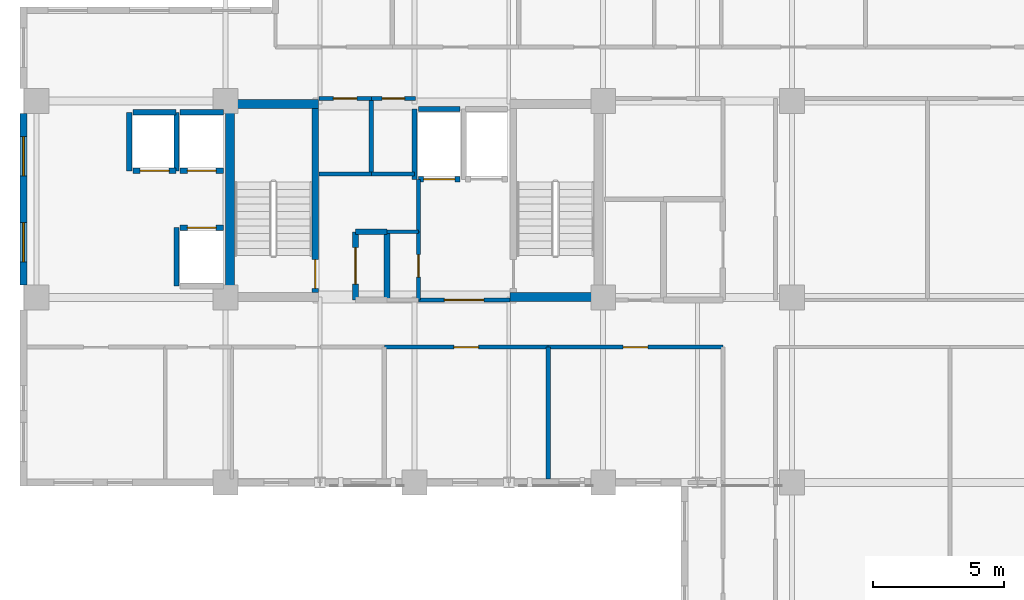
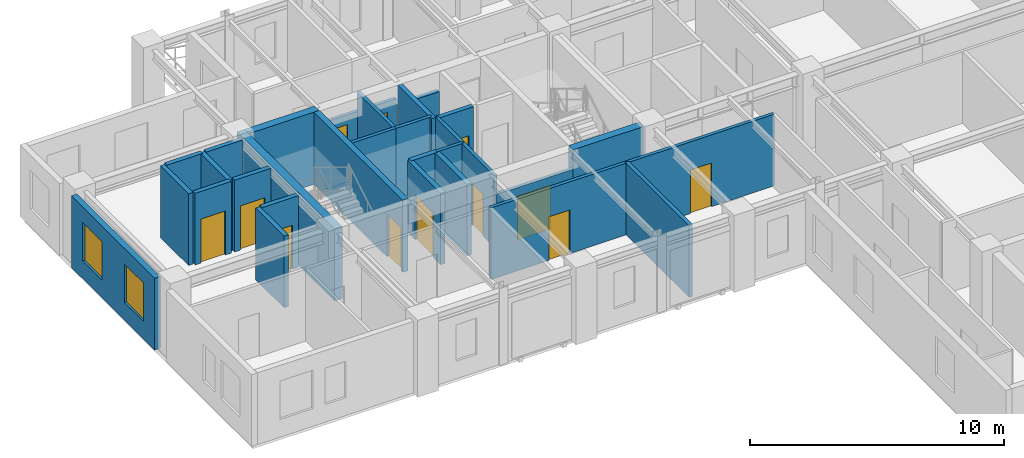
# One storey, part 6 of 14: 31 walls, 12 doors, 2 windows, 14 openings.
"""IFC4 building model written with IfcOpenShell, lengths in metres."""

from ifc_helpers import new_model, si_unit, direction, frame, frame_2d, origin, place, context, subcontext, project, spatial, rectangle, extrude, material, layer, layer_set, type_object, element, fill, save


model = new_model("IFC4")

# Units and contexts
model_context = context("Model", 3, precision=1e-05, world=origin(), true_north=direction((0.0, 1.0)))
body_context = subcontext(model_context, "Body", "Model", "MODEL_VIEW")
ifc_project = project(units=[si_unit("LENGTHUNIT", "METRE"), si_unit("AREAUNIT", "SQUARE_METRE"), si_unit("VOLUMEUNIT", "CUBIC_METRE"), si_unit("PLANEANGLEUNIT", "RADIAN"), si_unit("MASSUNIT", "GRAM", prefix="KILO")], contexts=[model_context])

# Site, building, storey
site_placement = place(None, origin())
site = spatial("IfcSite", under=ifc_project, at=site_placement, CompositionType="ELEMENT")
building_placement = place(site_placement, origin())
building = spatial("IfcBuilding", under=site, at=building_placement, Name="Kaliganga Portal Commons", CompositionType="ELEMENT")
storey_placement = place(building_placement, frame((0.0, 0.0, 227.699951171875)))
storey = spatial("IfcBuildingStorey", under=building, at=storey_placement, Name="L58", CompositionType="ELEMENT", Elevation=227.699951171875)

# Walls
ifc_material_1 = material(Name="Concrete C50/60", Category="concrete")
ifc_layer_1 = layer(ifc_material_1, 0.35009765625)
ifc_layer_set_1 = layer_set([ifc_layer_1], Name="Concrete C50/60")
wall_type_1 = type_object("IfcWallType", Name="WL-CORE-350", PredefinedType="SHEAR", material=ifc_layer_set_1)
wall_1_placement = place(storey_placement, frame((14.574951171875, 28.5, 0.0), z_axis=(0.0, 0.0, 1.0), x_axis=(0.0, 1.0, 0.0)))
element("IfcWall", 1, at=wall_1_placement, inside=storey, type_object=wall_type_1, Name="Core A West Shear Wall L58", PredefinedType="SHEAR", context=body_context, shape_type="SweptSolid", body=[
    extrude(rectangle(XDim=7.699951171875, YDim=0.35009765625, at=frame_2d((3.85009765625, 0.0))), origin(), (0.0, 0.0, 1.0), 3.469970703125),
])
for number, where, z_axis, x_axis, name in (
    (2, (25.25, 28.675048828125, 0.0), (0.0, 0.0, 1.0), (1.0, 0.0, 0.0), "Core A S-East Shear Wall L58"),
    (3, (14.75, 36.02490234375, 0.0), (0.0, 0.0, 1.0), (1.0, 0.0, 0.0), "Core A N-West Shear Wall L58"),
):
    element("IfcWall", number, at=place(storey_placement, frame(where, z_axis=z_axis, x_axis=x_axis)), inside=storey, type_object=wall_type_1, Name=name, PredefinedType="SHEAR", context=body_context, shape_type="SweptSolid", body=[
        extrude(rectangle(XDim=3.199951171875, YDim=0.35009765625, at=frame_2d((1.60009765625, 0.0))), origin(), (0.0, 0.0, 1.0), 3.469970703125),
    ])

# Wall, openings, windows
ifc_material_2 = material(Name="Insulated Aluminium-Clad Spandrel Assembly", Category="aluminium")
ifc_layer_2 = layer(ifc_material_2, 0.260009765625)
ifc_layer_set_2 = layer_set([ifc_layer_2], Name="Insulated Aluminium-Clad Spandrel Assembly")
wall_type_2 = type_object("IfcWallType", Name="WL-EXT-SPAND-260", PredefinedType="STANDARD", material=ifc_layer_set_2)
wall_2_placement = place(storey_placement, frame((6.699951171875, 29.1259765625, 0.0), z_axis=(0.0, 0.0, 1.0), x_axis=(0.0, 1.0, 0.0)))
wall_2 = element("IfcWall", 4, at=wall_2_placement, inside=storey, type_object=wall_type_2, Name="Exterior Envelope Wall L58 P1-E09-S2", PredefinedType="STANDARD", context=body_context, shape_type="SweptSolid", body=[
    extrude(rectangle(XDim=6.548095703125, YDim=0.260009765625, at=frame_2d((3.27392578125, 0.0))), origin(), (0.0, 0.0, 1.0), 3.449951171875),
])
opening_1_placement = place(wall_2_placement, frame((0.886962890625, 0.0, 0.85009765625)))
opening_1 = element("IfcOpeningElement", 5, at=opening_1_placement, cuts=wall_2, Name="Opening W-02", PredefinedType="OPENING", context=body_context, shape_type="SweptSolid", body=[
    extrude(rectangle(XDim=1.5, YDim=1.85009765625, at=frame_2d((0.75, 0.925048828125))), frame((0.0, 0.14013671875, 0.0), z_axis=(0.0, -1.0, 0.0), x_axis=(1.0, 0.0, 0.0)), (0.0, 0.0, 1.0), 0.280029296875),
])
opening_2_placement = place(wall_2_placement, frame((4.160888671875, 0.0, 0.85009765625)))
opening_2 = element("IfcOpeningElement", 6, at=opening_2_placement, cuts=wall_2, Name="Opening W-02", PredefinedType="OPENING", context=body_context, shape_type="SweptSolid", body=[
    extrude(rectangle(XDim=1.5, YDim=1.85009765625, at=frame_2d((0.75, 0.925048828125))), frame((0.0, 0.14013671875, 0.0), z_axis=(0.0, -1.0, 0.0), x_axis=(1.0, 0.0, 0.0)), (0.0, 0.0, 1.0), 0.280029296875),
])
ifc_material_3 = material(Name="Thermally Broken Aluminium and Low-E Double Glazing", Category="aluminium")
window_type = type_object("IfcWindowType", Name="WIN-STD-1500", PartitioningType="DOUBLE_PANEL_VERTICAL", PredefinedType="WINDOW", material=ifc_material_3)
window_1_placement = place(opening_1_placement, origin())
window_1 = element("IfcWindow", 7, at=window_1_placement, inside=storey, type_object=window_type, Name="Facade Window L58-P1E09S2-00", OverallHeight=1.85009765625, OverallWidth=1.5, PartitioningType="SINGLE_PANEL", PredefinedType="WINDOW", context=body_context, shape_type="SweptSolid", body=[
    extrude(rectangle(XDim=1.5, YDim=1.85009765625, at=frame_2d((0.75, 0.925048828125))), frame((0.0, 0.030029296875, 0.0), z_axis=(0.0, -1.0, 0.0), x_axis=(1.0, 0.0, 0.0)), (0.0, 0.0, 1.0), 0.06005859375),
])
fill(opening_1, window_1)
window_2_placement = place(opening_2_placement, origin())
window_2 = element("IfcWindow", 8, at=window_2_placement, inside=storey, type_object=window_type, Name="Facade Window L58-P1E09S2-01", OverallHeight=1.85009765625, OverallWidth=1.5, PartitioningType="SINGLE_PANEL", PredefinedType="WINDOW", context=body_context, shape_type="SweptSolid", body=[
    extrude(rectangle(XDim=1.5, YDim=1.85009765625, at=frame_2d((0.75, 0.925048828125))), frame((0.0, 0.030029296875, 0.0), z_axis=(0.0, -1.0, 0.0), x_axis=(1.0, 0.0, 0.0)), (0.0, 0.0, 1.0), 0.06005859375),
])
fill(opening_2, window_2)

# Wall, opening, door
ifc_material_4 = material(Name="Fire-Rated Gypsum Board on Steel Stud", Category="steel")
ifc_layer_3 = layer(ifc_material_4, 0.14990234375)
ifc_layer_set_3 = layer_set([ifc_layer_3], Name="Fire-Rated Gypsum Board on Steel Stud")
wall_type_3 = type_object("IfcWallType", Name="WL-PART-CORR-150", PredefinedType="PARTITIONING", material=ifc_layer_set_3)
wall_3_placement = place(storey_placement, frame((26.699951171875, 26.760009765625, 0.0), z_axis=(0.0, 0.0, 1.0), x_axis=(1.0, 0.0, 0.0)))
wall_3 = element("IfcWall", 9, at=wall_3_placement, inside=storey, type_object=wall_type_3, Name="Interior Partition L58-010", PredefinedType="PARTITIONING", context=body_context, shape_type="SweptSolid", body=[
    extrude(rectangle(XDim=6.66015625, YDim=0.14990234375, at=frame_2d((3.330078125, 0.0))), origin(), (0.0, 0.0, 1.0), 3.449951171875),
])
opening_3_placement = place(wall_3_placement, frame((2.85498046875, 0.0, 0.0)))
opening_3 = element("IfcOpeningElement", 10, at=opening_3_placement, cuts=wall_3, Name="Opening UD-01", PredefinedType="OPENING", context=body_context, shape_type="SweptSolid", body=[
    extrude(rectangle(XDim=0.949951171875, YDim=2.10009765625, at=frame_2d((0.47509765625, 1.050048828125))), frame((0.0, 0.0849609375, 0.0), z_axis=(0.0, -1.0, 0.0), x_axis=(1.0, 0.0, 0.0)), (0.0, 0.0, 1.0), 0.169921875),
])
ifc_material_5 = material(Name="Solid-Core Timber Acoustic Fire Door", Category="wood")
door_type_1 = type_object("IfcDoorType", Name="DR-UNIT-950", OperationType="NOTDEFINED", PredefinedType="DOOR", material=ifc_material_5)
door_1_placement = place(opening_3_placement, origin())
door_1 = element("IfcDoor", 11, at=door_1_placement, inside=storey, type_object=door_type_1, Name="Interior Door L58-AS05", OperationType="SINGLE_SWING_RIGHT", OverallHeight=2.10009765625, OverallWidth=0.949951171875, PredefinedType="DOOR", context=body_context, shape_type="SweptSolid", body=[
    extrude(rectangle(XDim=0.949951171875, YDim=2.10009765625, at=frame_2d((0.47509765625, 1.050048828125))), frame((0.0, 0.02490234375, 0.0), z_axis=(0.0, -1.0, 0.0), x_axis=(1.0, 0.0, 0.0)), (0.0, 0.0, 1.0), 0.050048828125),
])
fill(opening_3, door_1)

wall_4_placement = place(storey_placement, frame((20.4599609375, 26.760009765625, 0.0), z_axis=(0.0, 0.0, 1.0), x_axis=(1.0, 0.0, 0.0)))
wall_4 = element("IfcWall", 12, at=wall_4_placement, inside=storey, type_object=wall_type_3, Name="Interior Partition L58-012", PredefinedType="PARTITIONING", context=body_context, shape_type="SweptSolid", body=[
    extrude(rectangle(XDim=6.239990234375, YDim=0.14990234375, at=frame_2d((3.1201171875, 0.0))), origin(), (0.0, 0.0, 1.0), 3.449951171875),
])
opening_4_placement = place(wall_4_placement, frame((2.64501953125, 0.0, 0.0)))
opening_4 = element("IfcOpeningElement", 13, at=opening_4_placement, cuts=wall_4, Name="Opening UD-01", PredefinedType="OPENING", context=body_context, shape_type="SweptSolid", body=[
    extrude(rectangle(XDim=0.949951171875, YDim=2.10009765625, at=frame_2d((0.47509765625, 1.050048828125))), frame((0.0, 0.0849609375, 0.0), z_axis=(0.0, -1.0, 0.0), x_axis=(1.0, 0.0, 0.0)), (0.0, 0.0, 1.0), 0.169921875),
])
door_2_placement = place(opening_4_placement, origin())
door_2 = element("IfcDoor", 14, at=door_2_placement, inside=storey, type_object=door_type_1, Name="Interior Door L58-AS04", OperationType="SINGLE_SWING_RIGHT", OverallHeight=2.10009765625, OverallWidth=0.949951171875, PredefinedType="DOOR", context=body_context, shape_type="SweptSolid", body=[
    extrude(rectangle(XDim=0.949951171875, YDim=2.10009765625, at=frame_2d((0.47509765625, 1.050048828125))), frame((0.0, 0.02490234375, 0.0), z_axis=(0.0, -1.0, 0.0), x_axis=(1.0, 0.0, 0.0)), (0.0, 0.0, 1.0), 0.050048828125),
])
fill(opening_4, door_2)

wall_5_placement = place(storey_placement, frame((21.760009765625, 28.56005859375, 0.0), z_axis=(0.0, 0.0, 1.0), x_axis=(0.0, 1.0, 0.0)))
wall_5 = element("IfcWall", 15, at=wall_5_placement, inside=storey, type_object=wall_type_3, Name="Interior Partition L58-028", PredefinedType="PARTITIONING", context=body_context, shape_type="SweptSolid", body=[
    extrude(rectangle(XDim=2.599853515625, YDim=0.14990234375, at=frame_2d((1.2998046875, 0.0))), origin(), (0.0, 0.0, 1.0), 3.449951171875),
])
opening_5_placement = place(wall_5_placement, frame((0.8701171875, 0.0, 0.0)))
opening_5 = element("IfcOpeningElement", 16, at=opening_5_placement, cuts=wall_5, Name="Opening WD-02", PredefinedType="OPENING", context=body_context, shape_type="SweptSolid", body=[
    extrude(rectangle(XDim=0.860107421875, YDim=2.02001953125, at=frame_2d((0.43017578125, 1.010009765625))), frame((0.0, 0.0849609375, 0.0), z_axis=(0.0, -1.0, 0.0), x_axis=(1.0, 0.0, 0.0)), (0.0, 0.0, 1.0), 0.169921875),
])
ifc_material_6 = material(Name="Fire-Rated Utility Closet Door", Category="wood")
door_type_2 = type_object("IfcDoorType", Name="DR-STORE-800", OperationType="NOTDEFINED", PredefinedType="DOOR", material=ifc_material_6)
door_3_placement = place(opening_5_placement, origin())
door_3 = element("IfcDoor", 17, at=door_3_placement, inside=storey, type_object=door_type_2, Name="Interior Door L58-CIN_A2", OperationType="SINGLE_SWING_RIGHT", OverallHeight=2.02001953125, OverallWidth=0.860107421875, PredefinedType="DOOR", context=body_context, shape_type="SweptSolid", body=[
    extrude(rectangle(XDim=0.860107421875, YDim=2.02001953125, at=frame_2d((0.43017578125, 1.010009765625))), frame((0.0, 0.02490234375, 0.0), z_axis=(0.0, -1.0, 0.0), x_axis=(1.0, 0.0, 0.0)), (0.0, 0.0, 1.0), 0.050048828125),
])
fill(opening_5, door_3)

# Wall
wall_6_placement = place(storey_placement, frame((17.9599609375, 33.360107421875, 0.0), z_axis=(0.0, 0.0, 1.0), x_axis=(1.0, 0.0, 0.0)))
element("IfcWall", 18, at=wall_6_placement, inside=storey, type_object=wall_type_3, Name="Interior Partition L58-036", PredefinedType="PARTITIONING", context=body_context, shape_type="SweptSolid", body=[
    extrude(rectangle(XDim=2.0, YDim=0.14990234375, at=frame_2d((1.0, 0.0))), origin(), (0.0, 0.0, 1.0), 3.449951171875),
])

# Wall, opening, door
wall_7_placement = place(storey_placement, frame((17.9599609375, 36.239990234375, 0.0), z_axis=(0.0, 0.0, 1.0), x_axis=(1.0, 0.0, 0.0)))
wall_7 = element("IfcWall", 19, at=wall_7_placement, inside=storey, type_object=wall_type_3, Name="Interior Partition L58-037", PredefinedType="PARTITIONING", context=body_context, shape_type="SweptSolid", body=[
    extrude(rectangle(XDim=2.0, YDim=0.14990234375, at=frame_2d((1.0, 0.0))), origin(), (0.0, 0.0, 1.0), 2.550048828125),
])
opening_6_placement = place(wall_7_placement, frame((0.550048828125, 0.0, 0.0)))
opening_6 = element("IfcOpeningElement", 20, at=opening_6_placement, cuts=wall_7, Name="Opening RD-01", PredefinedType="OPENING", context=body_context, shape_type="SweptSolid", body=[
    extrude(rectangle(XDim=0.89990234375, YDim=2.080078125, at=frame_2d((0.449951171875, 1.0400390625))), frame((0.0, 0.0849609375, 0.0), z_axis=(0.0, -1.0, 0.0), x_axis=(1.0, 0.0, 0.0)), (0.0, 0.0, 1.0), 0.169921875),
])
ifc_material_7 = material(Name="Engineered Timber Flush Door", Category="wood")
door_type_3 = type_object("IfcDoorType", Name="DR-ROOM-900", OperationType="NOTDEFINED", PredefinedType="DOOR", material=ifc_material_7)
door_4_placement = place(opening_6_placement, origin())
door_4 = element("IfcDoor", 21, at=door_4_placement, inside=storey, type_object=door_type_3, Name="Interior Door L58-CREC_A1", OperationType="SINGLE_SWING_RIGHT", OverallHeight=2.080078125, OverallWidth=0.89990234375, PredefinedType="DOOR", context=body_context, shape_type="SweptSolid", body=[
    extrude(rectangle(XDim=0.89990234375, YDim=2.080078125, at=frame_2d((0.449951171875, 1.0400390625))), frame((0.0, 0.02490234375, 0.0), z_axis=(0.0, -1.0, 0.0), x_axis=(1.0, 0.0, 0.0)), (0.0, 0.0, 1.0), 0.050048828125),
])
fill(opening_6, door_4)

# Wall
wall_8_placement = place(storey_placement, frame((19.9599609375, 33.360107421875, 0.0), z_axis=(0.0, 0.0, 1.0), x_axis=(1.0, 0.0, 0.0)))
element("IfcWall", 22, at=wall_8_placement, inside=storey, type_object=wall_type_3, Name="Interior Partition L58-039", PredefinedType="PARTITIONING", context=body_context, shape_type="SweptSolid", body=[
    extrude(rectangle(XDim=1.650146484375, YDim=0.14990234375, at=frame_2d((0.8251953125, 0.0))), origin(), (0.0, 0.0, 1.0), 3.449951171875),
])

# Wall, opening, door
wall_9_placement = place(storey_placement, frame((19.9599609375, 36.239990234375, 0.0), z_axis=(0.0, 0.0, 1.0), x_axis=(1.0, 0.0, 0.0)))
wall_9 = element("IfcWall", 23, at=wall_9_placement, inside=storey, type_object=wall_type_3, Name="Interior Partition L58-040", PredefinedType="PARTITIONING", context=body_context, shape_type="SweptSolid", body=[
    extrude(rectangle(XDim=1.679931640625, YDim=0.14990234375, at=frame_2d((0.83984375, 0.0))), origin(), (0.0, 0.0, 1.0), 2.550048828125),
])
opening_7_placement = place(wall_9_placement, frame((0.409912109375, 0.0, 0.0)))
opening_7 = element("IfcOpeningElement", 24, at=opening_7_placement, cuts=wall_9, Name="Opening WD-02", PredefinedType="OPENING", context=body_context, shape_type="SweptSolid", body=[
    extrude(rectangle(XDim=0.860107421875, YDim=2.02001953125, at=frame_2d((0.43017578125, 1.010009765625))), frame((0.0, 0.0849609375, 0.0), z_axis=(0.0, -1.0, 0.0), x_axis=(1.0, 0.0, 0.0)), (0.0, 0.0, 1.0), 0.169921875),
])
door_5_placement = place(opening_7_placement, origin())
door_5 = element("IfcDoor", 25, at=door_5_placement, inside=storey, type_object=door_type_2, Name="Interior Door L58-CREC_A2", OperationType="SINGLE_SWING_RIGHT", OverallHeight=2.02001953125, OverallWidth=0.860107421875, PredefinedType="DOOR", context=body_context, shape_type="SweptSolid", body=[
    extrude(rectangle(XDim=0.860107421875, YDim=2.02001953125, at=frame_2d((0.43017578125, 1.010009765625))), frame((0.0, 0.02490234375, 0.0), z_axis=(0.0, -1.0, 0.0), x_axis=(1.0, 0.0, 0.0)), (0.0, 0.0, 1.0), 0.050048828125),
])
fill(opening_7, door_5)

# Wall
wall_10_placement = place(storey_placement, frame((20.56005859375, 31.159912109375, 0.0), z_axis=(0.0, 0.0, 1.0), x_axis=(1.0, 0.0, 0.0)))
element("IfcWall", 26, at=wall_10_placement, inside=storey, type_object=wall_type_3, Name="Interior Partition L58-042", PredefinedType="PARTITIONING", context=body_context, shape_type="SweptSolid", body=[
    extrude(rectangle(XDim=1.199951171875, YDim=0.14990234375, at=frame_2d((0.60009765625, 0.0))), origin(), (0.0, 0.0, 1.0), 3.449951171875),
])

# Wall, opening, door
wall_11_placement = place(storey_placement, frame((21.760009765625, 28.56005859375, 0.0), z_axis=(0.0, 0.0, 1.0), x_axis=(1.0, 0.0, 0.0)))
wall_11 = element("IfcWall", 27, at=wall_11_placement, inside=storey, type_object=wall_type_3, Name="Interior Partition L58-073", PredefinedType="PARTITIONING", context=body_context, shape_type="SweptSolid", body=[
    extrude(rectangle(XDim=3.47998046875, YDim=0.14990234375, at=frame_2d((1.739990234375, 0.0))), origin(), (0.0, 0.0, 1.0), 2.550048828125),
])
opening_8_placement = place(wall_11_placement, frame((0.989990234375, 0.0, 0.0)))
opening_8 = element("IfcOpeningElement", 28, at=opening_8_placement, cuts=wall_11, Name="Opening FD-01", PredefinedType="OPENING", context=body_context, shape_type="SweptSolid", body=[
    extrude(rectangle(XDim=1.5, YDim=2.10009765625, at=frame_2d((0.75, 1.050048828125))), frame((0.0, 0.0849609375, 0.0), z_axis=(0.0, -1.0, 0.0), x_axis=(1.0, 0.0, 0.0)), (0.0, 0.0, 1.0), 0.169921875),
])
ifc_material_8 = material(Name="Fire-Rated Hardwood and Georgian-Wired Vision Panel", Category="wood")
door_type_4 = type_object("IfcDoorType", Name="DR-LOBBY-1500", OperationType="DOUBLE_DOOR_SINGLE_SWING", PredefinedType="DOOR", material=ifc_material_8)
door_6_placement = place(opening_8_placement, origin())
door_6 = element("IfcDoor", 29, at=door_6_placement, inside=storey, type_object=door_type_4, Name="Interior Door L58-FFLOB_A", OperationType="DOUBLE_DOOR_SINGLE_SWING", OverallHeight=2.10009765625, OverallWidth=1.5, PredefinedType="DOOR", context=body_context, shape_type="SweptSolid", body=[
    extrude(rectangle(XDim=1.5, YDim=2.10009765625, at=frame_2d((0.75, 1.050048828125))), frame((0.0, 0.02490234375, 0.0), z_axis=(0.0, -1.0, 0.0), x_axis=(1.0, 0.0, 0.0)), (0.0, 0.0, 1.0), 0.050048828125),
])
fill(opening_8, door_6)

# Wall
wall_12_placement = place(storey_placement, frame((21.760009765625, 31.159912109375, 0.0), z_axis=(0.0, 0.0, 1.0), x_axis=(0.0, 1.0, 0.0)))
element("IfcWall", 30, at=wall_12_placement, inside=storey, type_object=wall_type_3, Name="Interior Partition L58-081", PredefinedType="PARTITIONING", context=body_context, shape_type="SweptSolid", body=[
    extrude(rectangle(XDim=2.0, YDim=0.14990234375, at=frame_2d((1.0, 0.0))), origin(), (0.0, 0.0, 1.0), 3.449951171875),
])

# Wall, opening, door
ifc_material_9 = material(Name="Lightweight blockwork masonry", Category="masonry")
ifc_layer_4 = layer(ifc_material_9, 0.215087890625)
ifc_layer_set_4 = layer_set([ifc_layer_4], Name="Lightweight blockwork masonry")
wall_type_4 = type_object("IfcWallType", Name="WL-PART-PLANT-215", PredefinedType="PARTITIONING", material=ifc_layer_set_4)
wall_13_placement = place(storey_placement, frame((19.360107421875, 28.56005859375, 0.0), z_axis=(0.0, 0.0, 1.0), x_axis=(0.0, 1.0, 0.0)))
wall_13 = element("IfcWall", 31, at=wall_13_placement, inside=storey, type_object=wall_type_4, Name="Interior Partition L58-027", PredefinedType="PARTITIONING", context=body_context, shape_type="SweptSolid", body=[
    extrude(rectangle(XDim=2.599853515625, YDim=0.215087890625, at=frame_2d((1.2998046875, 0.0))), origin(), (0.0, 0.0, 1.0), 3.449951171875),
])
opening_9_placement = place(wall_13_placement, frame((0.60009765625, 0.0, 0.0)))
opening_9 = element("IfcOpeningElement", 32, at=opening_9_placement, cuts=wall_13, Name="Opening PD-01", PredefinedType="OPENING", context=body_context, shape_type="SweptSolid", body=[
    extrude(rectangle(XDim=1.39990234375, YDim=2.14990234375, at=frame_2d((0.699951171875, 1.074951171875))), frame((0.0, 0.11767578125, 0.0), z_axis=(0.0, -1.0, 0.0), x_axis=(1.0, 0.0, 0.0)), (0.0, 0.0, 1.0), 0.235107421875),
])
ifc_material_10 = material(Name="Heavy-Duty Steel Acoustic Louvre Fire Door", Category="steel")
door_type_5 = type_object("IfcDoorType", Name="DR-PLANT-1400", OperationType="DOUBLE_DOOR_SINGLE_SWING", PredefinedType="DOOR", material=ifc_material_10)
door_7_placement = place(opening_9_placement, origin())
door_7 = element("IfcDoor", 33, at=door_7_placement, inside=storey, type_object=door_type_5, Name="Interior Door L58-CIN_A1", OperationType="DOUBLE_DOOR_SINGLE_SWING", OverallHeight=2.14990234375, OverallWidth=1.39990234375, PredefinedType="DOOR", context=body_context, shape_type="SweptSolid", body=[
    extrude(rectangle(XDim=1.39990234375, YDim=2.14990234375, at=frame_2d((0.699951171875, 1.074951171875))), frame((0.0, 0.02490234375, 0.0), z_axis=(0.0, -1.0, 0.0), x_axis=(1.0, 0.0, 0.0)), (0.0, 0.0, 1.0), 0.050048828125),
])
fill(opening_9, door_7)

# Walls
wall_14_placement = place(storey_placement, frame((19.360107421875, 31.159912109375, 0.0), z_axis=(0.0, 0.0, 1.0), x_axis=(1.0, 0.0, 0.0)))
element("IfcWall", 34, at=wall_14_placement, inside=storey, type_object=wall_type_4, Name="Interior Partition L58-044", PredefinedType="PARTITIONING", context=body_context, shape_type="SweptSolid", body=[
    extrude(rectangle(XDim=1.199951171875, YDim=0.215087890625, at=frame_2d((0.60009765625, 0.0))), origin(), (0.0, 0.0, 1.0), 3.449951171875),
])
wall_15_placement = place(storey_placement, frame((20.56005859375, 28.56005859375, 0.0), z_axis=(0.0, 0.0, 1.0), x_axis=(0.0, 1.0, 0.0)))
element("IfcWall", 35, at=wall_15_placement, inside=storey, type_object=wall_type_4, Name="Interior Partition L58-075", PredefinedType="PARTITIONING", context=body_context, shape_type="SweptSolid", body=[
    extrude(rectangle(XDim=2.599853515625, YDim=0.215087890625, at=frame_2d((1.2998046875, 0.0))), origin(), (0.0, 0.0, 1.0), 3.449951171875),
])
ifc_material_11 = material(Name="Twin-Stud Acoustic Gypsum Partition", Category="gypsum")
ifc_layer_5 = layer(ifc_material_11, 0.1650390625)
ifc_layer_set_5 = layer_set([ifc_layer_5], Name="Twin-Stud Acoustic Gypsum Partition")
wall_type_5 = type_object("IfcWallType", Name="WL-PART-UNIT-165", PredefinedType="PARTITIONING", material=ifc_layer_set_5)
wall_16_placement = place(storey_placement, frame((26.699951171875, 21.73193359375, 0.0), z_axis=(0.0, 0.0, 1.0), x_axis=(0.0, 1.0, 0.0)))
element("IfcWall", 36, at=wall_16_placement, inside=storey, type_object=wall_type_5, Name="Interior Partition L58-061", PredefinedType="PARTITIONING", context=body_context, shape_type="SweptSolid", body=[
    extrude(rectangle(XDim=5.028076171875, YDim=0.1650390625, at=frame_2d((2.51416015625, 0.0))), origin(), (0.0, 0.0, 1.0), 3.449951171875),
])
wall_17_placement = place(storey_placement, frame((19.9599609375, 33.360107421875, 0.0), z_axis=(0.0, 0.0, 1.0), x_axis=(0.0, 1.0, 0.0)))
element("IfcWall", 37, at=wall_17_placement, inside=storey, type_object=wall_type_5, Name="Interior Partition L58-074", PredefinedType="PARTITIONING", context=body_context, shape_type="SweptSolid", body=[
    extrude(rectangle(XDim=2.8798828125, YDim=0.1650390625, at=frame_2d((1.43994140625, 0.0))), origin(), (0.0, 0.0, 1.0), 3.449951171875),
])

# Wall, opening, door
ifc_material_12 = material(Name="Fire-Rated Shaftwall Masonry Assembly", Category="masonry")
ifc_layer_6 = layer(ifc_material_12, 0.199951171875)
ifc_layer_set_6 = layer_set([ifc_layer_6], Name="Fire-Rated Shaftwall Masonry Assembly")
wall_type_6 = type_object("IfcWallType", Name="WL-SHAFT-200", PredefinedType="PARTITIONING", material=ifc_layer_set_6)
wall_18_placement = place(storey_placement, frame((12.675048828125, 33.485107421875, 0.0), z_axis=(0.0, 0.0, 1.0), x_axis=(1.0, 0.0, 0.0)))
wall_18 = element("IfcWall", 38, at=wall_18_placement, inside=storey, type_object=wall_type_6, Name="Lift PL-A3 Hoistway Shaft Wall L58-S", PredefinedType="PARTITIONING", context=body_context, shape_type="SweptSolid", body=[
    extrude(rectangle(XDim=1.64990234375, YDim=0.199951171875, at=frame_2d((0.824951171875, 0.0))), origin(), (0.0, 0.0, 1.0), 3.449951171875),
])
opening_10_placement = place(wall_18_placement, frame((0.27490234375, 0.0, 0.0)))
opening_10 = element("IfcOpeningElement", 39, at=opening_10_placement, cuts=wall_18, Name="Opening LD-01", PredefinedType="OPENING", context=body_context, shape_type="SweptSolid", body=[
    extrude(rectangle(XDim=1.10009765625, YDim=2.1201171875, at=frame_2d((0.550048828125, 1.06005859375))), frame((0.0, 0.10986328125, 0.0), z_axis=(0.0, -1.0, 0.0), x_axis=(1.0, 0.0, 0.0)), (0.0, 0.0, 1.0), 0.219970703125),
])
ifc_material_13 = material(Name="Brushed Stainless Steel 316 Lift Landing Door", Category="steel")
door_type_6 = type_object("IfcDoorType", Name="DR-LIFT-1100", OperationType="SLIDING_TO_LEFT", PredefinedType="DOOR", material=ifc_material_13)
door_8_placement = place(opening_10_placement, origin())
door_8 = element("IfcDoor", 40, at=door_8_placement, inside=storey, type_object=door_type_6, Name="Lift PL-A3 Sliding Landing Door L58", OperationType="SLIDING_TO_LEFT", OverallHeight=2.1201171875, OverallWidth=1.10009765625, PredefinedType="DOOR", context=body_context, shape_type="SweptSolid", body=[
    extrude(rectangle(XDim=1.10009765625, YDim=2.1201171875, at=frame_2d((0.550048828125, 1.06005859375))), frame((0.0, 0.02490234375, 0.0), z_axis=(0.0, -1.0, 0.0), x_axis=(1.0, 0.0, 0.0)), (0.0, 0.0, 1.0), 0.050048828125),
])
fill(opening_10, door_8)

# Walls
wall_19_placement = place(storey_placement, frame((12.675048828125, 35.715087890625, 0.0), z_axis=(0.0, 0.0, 1.0), x_axis=(1.0, 0.0, 0.0)))
element("IfcWall", 41, at=wall_19_placement, inside=storey, type_object=wall_type_6, Name="Lift PL-A3 Hoistway Shaft Wall L58-N", PredefinedType="PARTITIONING", context=body_context, shape_type="SweptSolid", body=[
    extrude(rectangle(XDim=1.64990234375, YDim=0.199951171875, at=frame_2d((0.824951171875, 0.0))), origin(), (0.0, 0.0, 1.0), 3.449951171875),
])
wall_20_placement = place(storey_placement, frame((12.534912109375, 33.485107421875, 0.0), z_axis=(0.0, 0.0, 1.0), x_axis=(0.0, 1.0, 0.0)))
element("IfcWall", 42, at=wall_20_placement, inside=storey, type_object=wall_type_6, Name="Lift PL-A3 Hoistway Shaft Wall L58-W", PredefinedType="PARTITIONING", context=body_context, shape_type="SweptSolid", body=[
    extrude(rectangle(XDim=2.22998046875, YDim=0.199951171875, at=frame_2d((1.114990234375, 0.0))), origin(), (0.0, 0.0, 1.0), 3.449951171875),
])

# Wall, opening, door
wall_21_placement = place(storey_placement, frame((12.675048828125, 31.31494140625, 0.0), z_axis=(0.0, 0.0, 1.0), x_axis=(1.0, 0.0, 0.0)))
wall_21 = element("IfcWall", 43, at=wall_21_placement, inside=storey, type_object=wall_type_6, Name="Lift PL-A4 Hoistway Shaft Wall L58-N", PredefinedType="PARTITIONING", context=body_context, shape_type="SweptSolid", body=[
    extrude(rectangle(XDim=1.64990234375, YDim=0.199951171875, at=frame_2d((0.824951171875, 0.0))), origin(), (0.0, 0.0, 1.0), 3.449951171875),
])
opening_11_placement = place(wall_21_placement, frame((0.27490234375, 0.0, 0.0)))
opening_11 = element("IfcOpeningElement", 44, at=opening_11_placement, cuts=wall_21, Name="Opening LD-01", PredefinedType="OPENING", context=body_context, shape_type="SweptSolid", body=[
    extrude(rectangle(XDim=1.10009765625, YDim=2.1201171875, at=frame_2d((0.550048828125, 1.06005859375))), frame((0.0, 0.10986328125, 0.0), z_axis=(0.0, -1.0, 0.0), x_axis=(1.0, 0.0, 0.0)), (0.0, 0.0, 1.0), 0.219970703125),
])
door_9_placement = place(opening_11_placement, origin())
door_9 = element("IfcDoor", 45, at=door_9_placement, inside=storey, type_object=door_type_6, Name="Lift PL-A4 Sliding Landing Door L58", OperationType="SLIDING_TO_LEFT", OverallHeight=2.1201171875, OverallWidth=1.10009765625, PredefinedType="DOOR", context=body_context, shape_type="SweptSolid", body=[
    extrude(rectangle(XDim=1.10009765625, YDim=2.1201171875, at=frame_2d((0.550048828125, 1.06005859375))), frame((0.0, 0.02490234375, 0.0), z_axis=(0.0, -1.0, 0.0), x_axis=(1.0, 0.0, 0.0)), (0.0, 0.0, 1.0), 0.050048828125),
])
fill(opening_11, door_9)

# Wall
wall_22_placement = place(storey_placement, frame((12.534912109375, 29.0849609375, 0.0), z_axis=(0.0, 0.0, 1.0), x_axis=(0.0, 1.0, 0.0)))
element("IfcWall", 46, at=wall_22_placement, inside=storey, type_object=wall_type_6, Name="Lift PL-A4 Hoistway Shaft Wall L58-W", PredefinedType="PARTITIONING", context=body_context, shape_type="SweptSolid", body=[
    extrude(rectangle(XDim=2.22998046875, YDim=0.199951171875, at=frame_2d((1.114990234375, 0.0))), origin(), (0.0, 0.0, 1.0), 3.449951171875),
])

# Wall, opening, door
wall_23_placement = place(storey_placement, frame((10.875, 33.485107421875, 0.0), z_axis=(0.0, 0.0, 1.0), x_axis=(1.0, 0.0, 0.0)))
wall_23 = element("IfcWall", 47, at=wall_23_placement, inside=storey, type_object=wall_type_6, Name="Lift PL-OBS Hoistway Shaft Wall L58-S", PredefinedType="PARTITIONING", context=body_context, shape_type="SweptSolid", body=[
    extrude(rectangle(XDim=1.64990234375, YDim=0.199951171875, at=frame_2d((0.824951171875, 0.0))), origin(), (0.0, 0.0, 1.0), 3.449951171875),
])
opening_12_placement = place(wall_23_placement, frame((0.27490234375, 0.0, 0.0)))
opening_12 = element("IfcOpeningElement", 48, at=opening_12_placement, cuts=wall_23, Name="Opening LD-01", PredefinedType="OPENING", context=body_context, shape_type="SweptSolid", body=[
    extrude(rectangle(XDim=1.10009765625, YDim=2.1201171875, at=frame_2d((0.550048828125, 1.06005859375))), frame((0.0, 0.10986328125, 0.0), z_axis=(0.0, -1.0, 0.0), x_axis=(1.0, 0.0, 0.0)), (0.0, 0.0, 1.0), 0.219970703125),
])
door_10_placement = place(opening_12_placement, origin())
door_10 = element("IfcDoor", 49, at=door_10_placement, inside=storey, type_object=door_type_6, Name="Lift PL-OBS Sliding Landing Door L58", OperationType="SLIDING_TO_LEFT", OverallHeight=2.1201171875, OverallWidth=1.10009765625, PredefinedType="DOOR", context=body_context, shape_type="SweptSolid", body=[
    extrude(rectangle(XDim=1.10009765625, YDim=2.1201171875, at=frame_2d((0.550048828125, 1.06005859375))), frame((0.0, 0.02490234375, 0.0), z_axis=(0.0, -1.0, 0.0), x_axis=(1.0, 0.0, 0.0)), (0.0, 0.0, 1.0), 0.050048828125),
])
fill(opening_12, door_10)

# Walls
wall_24_placement = place(storey_placement, frame((10.875, 35.715087890625, 0.0), z_axis=(0.0, 0.0, 1.0), x_axis=(1.0, 0.0, 0.0)))
element("IfcWall", 50, at=wall_24_placement, inside=storey, type_object=wall_type_6, Name="Lift PL-OBS Hoistway Shaft Wall L58-N", PredefinedType="PARTITIONING", context=body_context, shape_type="SweptSolid", body=[
    extrude(rectangle(XDim=1.64990234375, YDim=0.199951171875, at=frame_2d((0.824951171875, 0.0))), origin(), (0.0, 0.0, 1.0), 3.449951171875),
])
wall_25_placement = place(storey_placement, frame((10.735107421875, 33.485107421875, 0.0), z_axis=(0.0, 0.0, 1.0), x_axis=(0.0, 1.0, 0.0)))
element("IfcWall", 51, at=wall_25_placement, inside=storey, type_object=wall_type_6, Name="Lift PL-OBS Hoistway Shaft Wall L58-W", PredefinedType="PARTITIONING", context=body_context, shape_type="SweptSolid", body=[
    extrude(rectangle(XDim=2.22998046875, YDim=0.199951171875, at=frame_2d((1.114990234375, 0.0))), origin(), (0.0, 0.0, 1.0), 3.449951171875),
])

# Wall, opening, door
wall_26_placement = place(storey_placement, frame((21.75, 33.159912109375, 0.0), z_axis=(0.0, 0.0, 1.0), x_axis=(1.0, 0.0, 0.0)))
wall_26 = element("IfcWall", 52, at=wall_26_placement, inside=storey, type_object=wall_type_6, Name="Lift FFL-1 Hoistway Shaft Wall L58-S", PredefinedType="PARTITIONING", context=body_context, shape_type="SweptSolid", body=[
    extrude(rectangle(XDim=1.60009765625, YDim=0.199951171875, at=frame_2d((0.800048828125, 0.0))), origin(), (0.0, 0.0, 1.0), 3.449951171875),
])
opening_13_placement = place(wall_26_placement, frame((0.199951171875, 0.0, 0.0)))
opening_13 = element("IfcOpeningElement", 53, at=opening_13_placement, cuts=wall_26, Name="Opening LD-02", PredefinedType="OPENING", context=body_context, shape_type="SweptSolid", body=[
    extrude(rectangle(XDim=1.199951171875, YDim=2.1201171875, at=frame_2d((0.60009765625, 1.06005859375))), frame((0.0, 0.10986328125, 0.0), z_axis=(0.0, -1.0, 0.0), x_axis=(1.0, 0.0, 0.0)), (0.0, 0.0, 1.0), 0.219970703125),
])
ifc_material_14 = material(Name="Brushed Stainless Steel 316 Stretcher Lift Landing Door", Category="steel")
door_type_7 = type_object("IfcDoorType", Name="DR-LIFT-1200", OperationType="SLIDING_TO_RIGHT", PredefinedType="DOOR", material=ifc_material_14)
door_11_placement = place(opening_13_placement, origin())
door_11 = element("IfcDoor", 54, at=door_11_placement, inside=storey, type_object=door_type_7, Name="Lift FFL-1 Sliding Landing Door L58", OperationType="SLIDING_TO_RIGHT", OverallHeight=2.1201171875, OverallWidth=1.199951171875, PredefinedType="DOOR", context=body_context, shape_type="SweptSolid", body=[
    extrude(rectangle(XDim=1.199951171875, YDim=2.1201171875, at=frame_2d((0.60009765625, 1.06005859375))), frame((0.0, 0.02490234375, 0.0), z_axis=(0.0, -1.0, 0.0), x_axis=(1.0, 0.0, 0.0)), (0.0, 0.0, 1.0), 0.050048828125),
])
fill(opening_13, door_11)

# Walls
wall_27_placement = place(storey_placement, frame((21.75, 35.840087890625, 0.0), z_axis=(0.0, 0.0, 1.0), x_axis=(1.0, 0.0, 0.0)))
element("IfcWall", 55, at=wall_27_placement, inside=storey, type_object=wall_type_6, Name="Lift FFL-1 Hoistway Shaft Wall L58-N", PredefinedType="PARTITIONING", context=body_context, shape_type="SweptSolid", body=[
    extrude(rectangle(XDim=1.60009765625, YDim=0.199951171875, at=frame_2d((0.800048828125, 0.0))), origin(), (0.0, 0.0, 1.0), 2.550048828125),
])
wall_28_placement = place(storey_placement, frame((21.610107421875, 33.159912109375, 0.0), z_axis=(0.0, 0.0, 1.0), x_axis=(0.0, 1.0, 0.0)))
element("IfcWall", 56, at=wall_28_placement, inside=storey, type_object=wall_type_6, Name="Lift FFL-1 Hoistway Shaft Wall L58-W", PredefinedType="PARTITIONING", context=body_context, shape_type="SweptSolid", body=[
    extrude(rectangle(XDim=2.68017578125, YDim=0.199951171875, at=frame_2d((1.340087890625, 0.0))), origin(), (0.0, 0.0, 1.0), 3.449951171875),
])

# Wall, opening, door
ifc_layer_7 = layer(ifc_material_1, 0.25)
ifc_layer_set_7 = layer_set([ifc_layer_7], Name="Concrete C50/60")
wall_type_7 = type_object("IfcWallType", Name="WL-STAIR-250", PredefinedType="SHEAR", material=ifc_layer_set_7)
wall_29_placement = place(storey_placement, frame((17.824951171875, 28.85009765625, 0.0), z_axis=(0.0, 0.0, 1.0), x_axis=(0.0, 1.0, 0.0)))
wall_29 = element("IfcWall", 57, at=wall_29_placement, inside=storey, type_object=wall_type_7, Name="Stair A1 Enclosure Shear Wall L58", PredefinedType="SHEAR", context=body_context, shape_type="SweptSolid", body=[
    extrude(rectangle(XDim=7.0, YDim=0.25, at=frame_2d((3.5, 0.0))), origin(), (0.0, 0.0, 1.0), 3.469970703125),
])
opening_14_placement = place(wall_29_placement, frame((0.14990234375, 0.0, 0.0)))
opening_14 = element("IfcOpeningElement", 58, at=opening_14_placement, cuts=wall_29, Name="Opening SD-01", PredefinedType="OPENING", context=body_context, shape_type="SweptSolid", body=[
    extrude(rectangle(XDim=1.10009765625, YDim=2.080078125, at=frame_2d((0.550048828125, 1.0400390625))), frame((0.0, 0.135009765625, 0.0), z_axis=(0.0, -1.0, 0.0), x_axis=(1.0, 0.0, 0.0)), (0.0, 0.0, 1.0), 0.27001953125),
])
ifc_material_15 = material(Name="Galvanized Steel Fire Door Leaf and Frame", Category="steel")
door_type_8 = type_object("IfcDoorType", Name="DR-STAIR-1100", OperationType="NOTDEFINED", PredefinedType="DOOR", material=ifc_material_15)
door_12_placement = place(opening_14_placement, origin())
door_12 = element("IfcDoor", 59, at=door_12_placement, inside=storey, type_object=door_type_8, Name="Protected Stair ST-A1 Fire Door L58", OperationType="SINGLE_SWING_RIGHT", OverallHeight=2.080078125, OverallWidth=1.10009765625, PredefinedType="DOOR", context=body_context, shape_type="SweptSolid", body=[
    extrude(rectangle(XDim=1.10009765625, YDim=2.080078125, at=frame_2d((0.550048828125, 1.0400390625))), frame((0.0, 0.02490234375, 0.0), z_axis=(0.0, -1.0, 0.0), x_axis=(1.0, 0.0, 0.0)), (0.0, 0.0, 1.0), 0.050048828125),
])
fill(opening_14, door_12)

save(model, "model.ifc")
